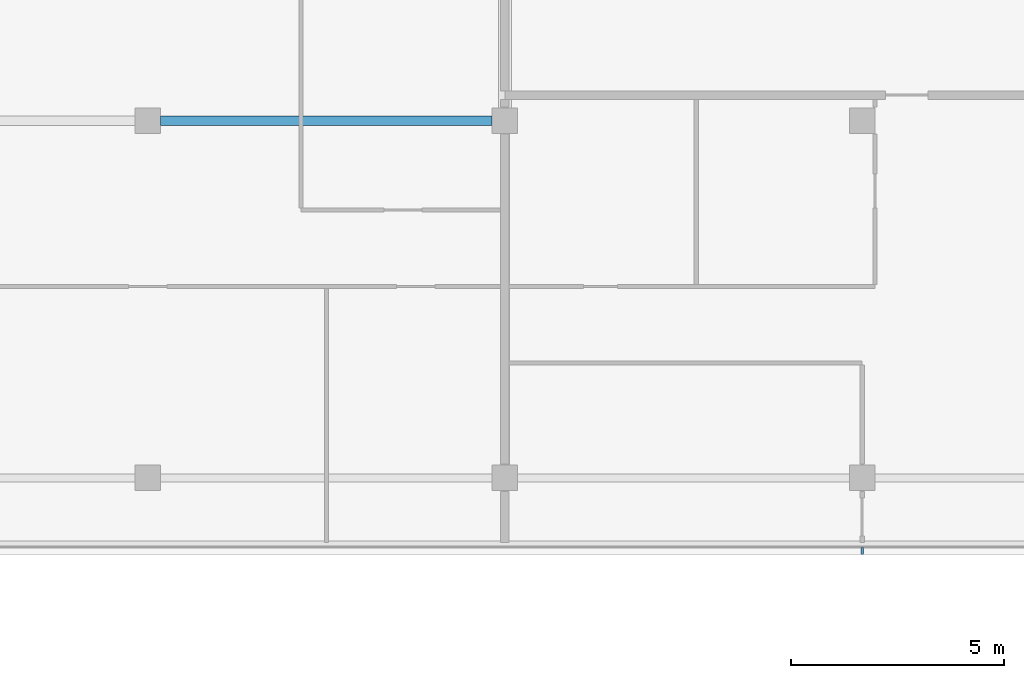
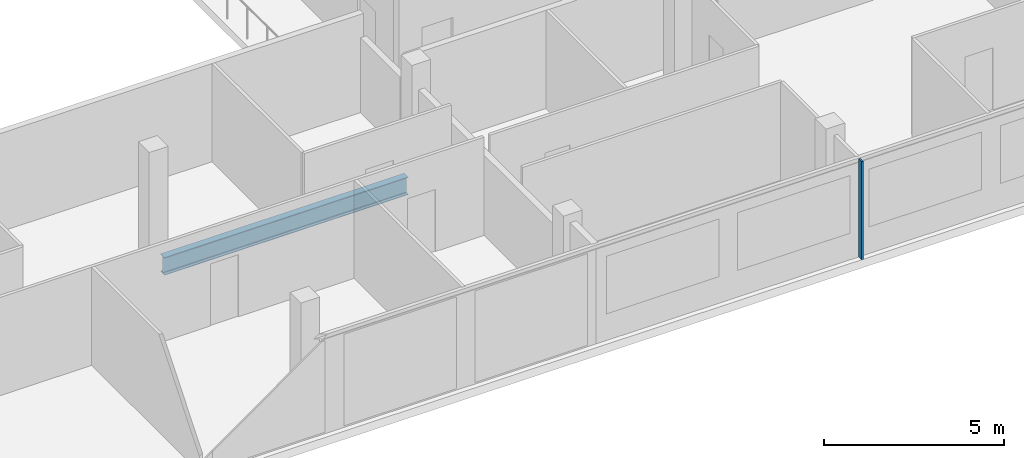
# One storey, part 6 of 30: 1 beam, 1 member, 1 element without a shape of its own.
"""IFC4 building model written with IfcOpenShell, lengths in metres."""

from ifc_helpers import new_model, si_unit, direction, frame, origin, origin_2d, place, context, subcontext, project, spatial, rectangle, i_section, extrude, material, material_profile, profile_set, type_object, element, aggregate, save


model = new_model("IFC4")

# Units and contexts
model_context = context("Model", 3, precision=1e-05, world=origin(), true_north=direction((0.0, 1.0)))
body_context = subcontext(model_context, "Body", "Model", "MODEL_VIEW")
ifc_project = project(units=[si_unit("LENGTHUNIT", "METRE"), si_unit("AREAUNIT", "SQUARE_METRE"), si_unit("VOLUMEUNIT", "CUBIC_METRE"), si_unit("PLANEANGLEUNIT", "RADIAN"), si_unit("MASSUNIT", "GRAM", prefix="KILO")], contexts=[model_context])

# Site, building, storey
site_placement = place(None, origin())
site = spatial("IfcSite", under=ifc_project, at=site_placement, CompositionType="ELEMENT")
building_placement = place(site_placement, origin())
building = spatial("IfcBuilding", under=site, at=building_placement, Name="Saffron Gate Tower", CompositionType="ELEMENT")
storey_placement = place(building_placement, frame((0.0, 0.0, 216.300048828125)))
storey = spatial("IfcBuildingStorey", under=building, at=storey_placement, Name="L52", CompositionType="ELEMENT", Elevation=216.300048828125)

# Beam
ifc_material_1 = material(Name="Structural steel S355", Category="steel")
ifc_material_profile_1 = material_profile(ifc_material_1, i_section(OverallWidth=0.219970703125, OverallDepth=0.60009765625, WebThickness=0.011962890625, FlangeThickness=0.01904296875, FilletRadius=0.02392578125, at=origin_2d()))
ifc_profile_set_1 = profile_set([ifc_material_profile_1], Name="Structural steel S355")
beam_type = type_object("IfcBeamType", Name="B15 IPE 600", PredefinedType="BEAM", material=ifc_profile_set_1)
beam_placement = place(storey_placement, frame((92.10009765625, 40.199951171875, -0.580078125), z_axis=(1.0, 0.0, 0.0), x_axis=(0.0, 1.0, 0.0)))
element("IfcBeam", 1, at=beam_placement, inside=storey, type_object=beam_type, Name="B15 FLOOR GIRDER", PredefinedType="BEAM", context=body_context, shape_type="SweptSolid", body=[
    extrude(i_section(OverallWidth=0.219970703125, OverallDepth=0.60009765625, WebThickness=0.011962890625, FlangeThickness=0.01904296875, FilletRadius=0.02392578125, at=origin_2d()), origin(), (0.0, 0.0, 1.0), 7.7998046875),
])

# Curtain wall, member
ifc_material_2 = material(Name="Aluminium, bronze anodised", Category="aluminium")
curtain_wall_type = type_object("IfcCurtainWallType", Name="CWS1 curtain wall front facade", PredefinedType="NOTDEFINED", material=ifc_material_2)
curtain_wall_placement = place(storey_placement, origin())
curtain_wall = element("IfcCurtainWall", 2, at=curtain_wall_placement, inside=storey, type_object=curtain_wall_type, Name="CWS1 run 1", PredefinedType="NOTDEFINED")
ifc_material_profile_2 = material_profile(ifc_material_2, rectangle(XDim=0.159912109375, YDim=0.06005859375, at=origin_2d()))
ifc_profile_set_2 = profile_set([ifc_material_profile_2], Name="Aluminium, bronze anodised")
member_type = type_object("IfcMemberType", Name="CWS1 mullion 60x160", PredefinedType="MULLION", material=ifc_profile_set_2)
member_placement = place(storey_placement, frame((108.60009765625, 30.080078125, 0.0), z_axis=(0.0, 0.0, 1.0), x_axis=(0.0, 1.0, 0.0)))
member = element("IfcMember", 3, at=member_placement, type_object=member_type, Name="CWS1 mullion 8", PredefinedType="MULLION", context=body_context, shape_type="SweptSolid", body=[
    extrude(rectangle(XDim=0.159912109375, YDim=0.06005859375, at=origin_2d()), origin(), (0.0, 0.0, 1.0), 3.320068359375),
])
aggregate(curtain_wall, [member])

save(model, "model.ifc")
